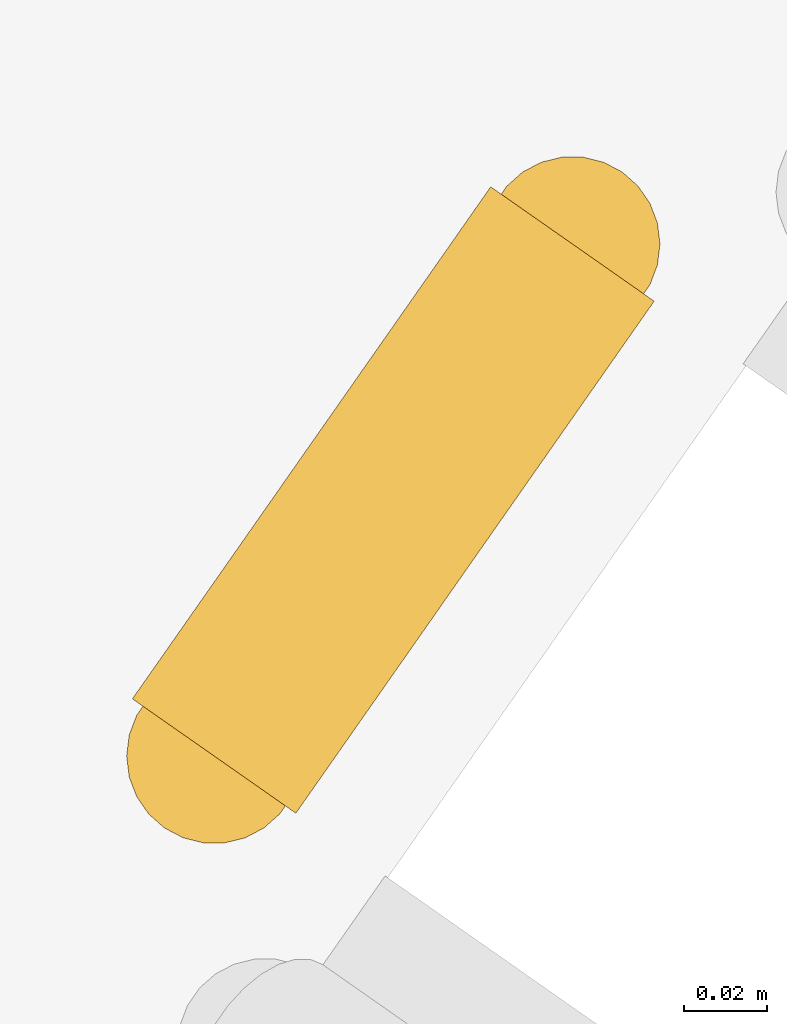
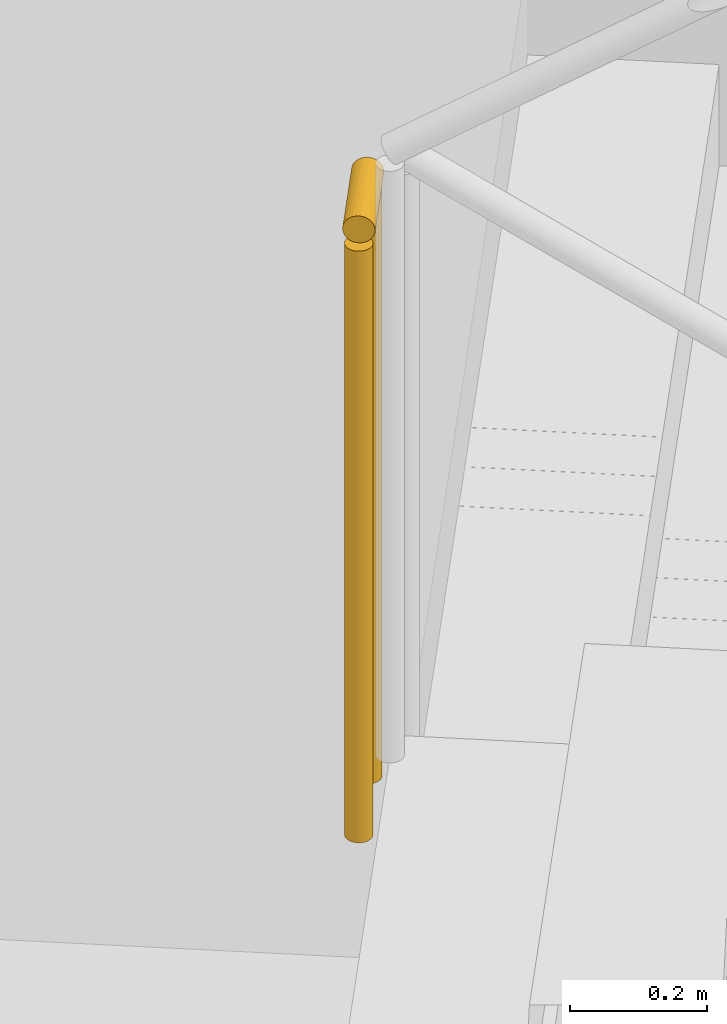
# One storey, part 21 of 23: 1 railing.
"""IFC4 building model written with IfcOpenShell, lengths in metres."""

from ifc_helpers import new_model, si_unit, direction, frame, origin, origin_2d, place, context, subcontext, project, spatial, circle, extrude, material, type_object, element, save


model = new_model("IFC4")

# Units and contexts
model_context = context("Model", 3, precision=1e-05, world=origin(), true_north=direction((0.0, 1.0)))
body_context = subcontext(model_context, "Body", "Model", "MODEL_VIEW")
ifc_project = project(units=[si_unit("LENGTHUNIT", "METRE"), si_unit("AREAUNIT", "SQUARE_METRE"), si_unit("VOLUMEUNIT", "CUBIC_METRE"), si_unit("PLANEANGLEUNIT", "RADIAN"), si_unit("MASSUNIT", "GRAM", prefix="KILO")], contexts=[model_context])

# Site, building, storey
site_placement = place(None, origin())
site = spatial("IfcSite", under=ifc_project, at=site_placement, CompositionType="ELEMENT")
building_placement = place(site_placement, origin())
building = spatial("IfcBuilding", under=site, at=building_placement, Name="Tel Ilan Convention Tower", CompositionType="ELEMENT")
storey_placement = place(building_placement, frame((0.0, 0.0, 86.89990234375)))
storey = spatial("IfcBuildingStorey", under=building, at=storey_placement, Name="L17", CompositionType="ELEMENT", Elevation=86.89990234375)

# Railing
ifc_material = material(Name="Stainless Steel Grade 316", Category="steel")
railing_type = type_object("IfcRailingType", Name="Stainless Steel Stair Guard 1100 mm", PredefinedType="GUARDRAIL", material=ifc_material)
railing_placement = place(storey_placement, frame((18.762939453125, -10.391357421875, 1.800048828125)))
element("IfcRailing", 1, at=railing_placement, inside=storey, type_object=railing_type, Name="L17 S4 stair guard 2", PredefinedType="GUARDRAIL", context=body_context, shape_type="SweptSolid", body=[
    extrude(circle(Radius=0.02392578125, at=origin_2d()), frame((0.0, 0.0, 1.076171875), z_axis=(-0.573353020881, -0.819308436089, 0.0), x_axis=(0.819308436089, -0.573353020881, 0.0)), (0.0, 0.0, 1.0), 0.14990234375),
    extrude(circle(Radius=0.02099609375, at=origin_2d()), origin(), (0.0, 0.0, 1.0), 1.052001953125),
    extrude(circle(Radius=0.02099609375, at=origin_2d()), frame((-0.0859375, -0.122802734375, 0.0)), (0.0, 0.0, 1.0), 1.052001953125),
])

save(model, "model.ifc")
